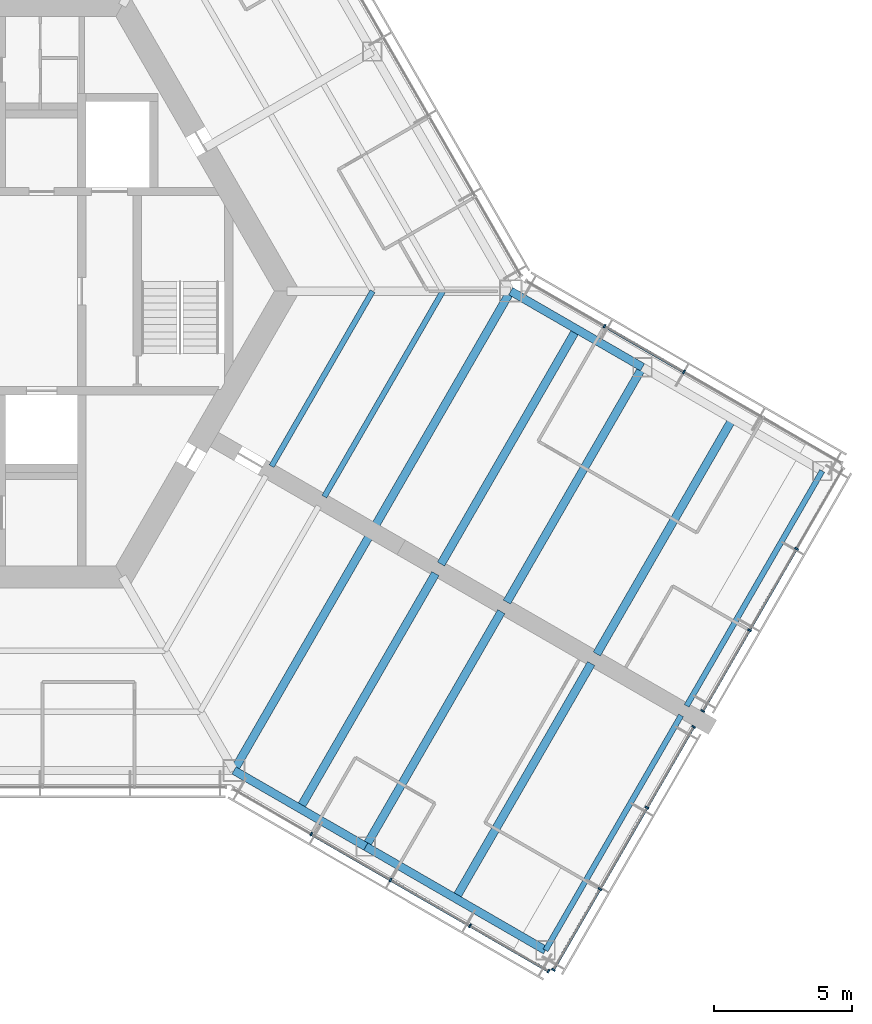
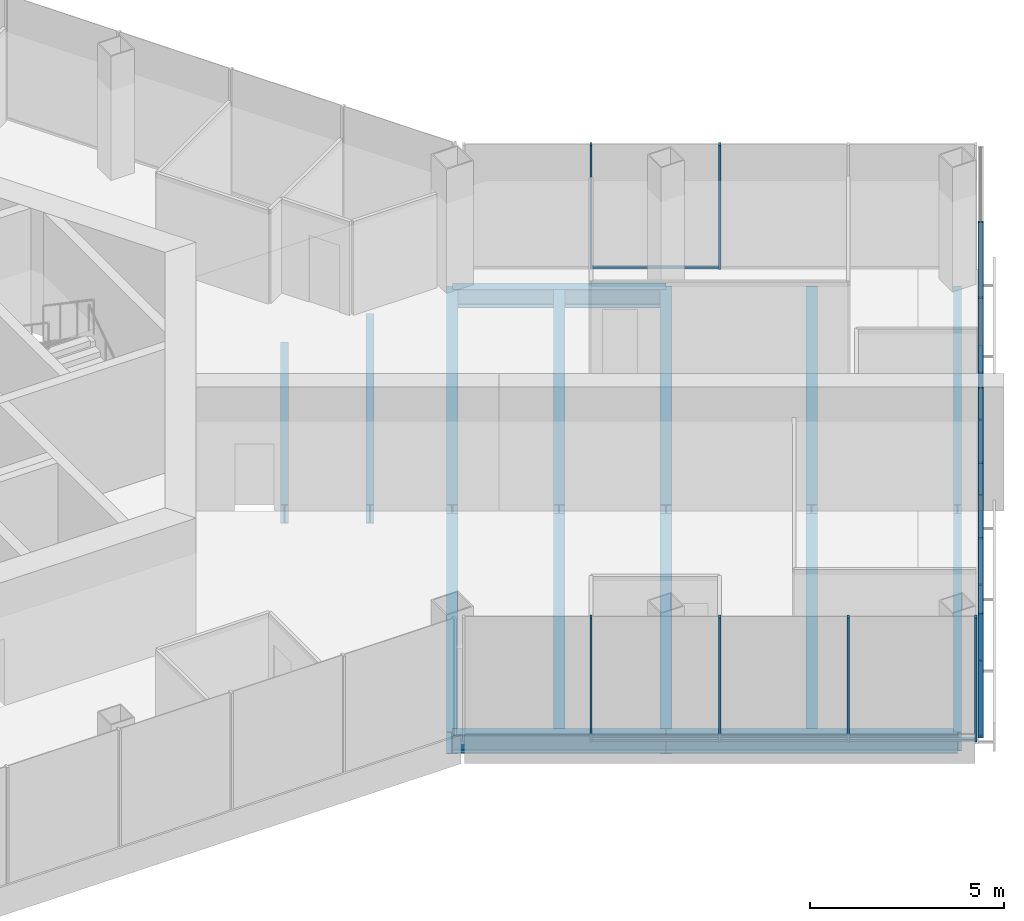
# One storey, part 4 of 16: 22 members, 15 beams, 4 elements without a shape of their own.
"""IFC4 building model written with IfcOpenShell, lengths in metres."""

from ifc_helpers import new_model, si_unit, direction, frame, origin, origin_2d, place, context, subcontext, project, spatial, rectangle, i_section, extrude, material, material_profile, profile_set, type_object, element, aggregate, save


model = new_model("IFC4")

# Units and contexts
model_context = context("Model", 3, precision=1e-05, world=origin(), true_north=direction((0.0, 1.0)))
body_context = subcontext(model_context, "Body", "Model", "MODEL_VIEW")
ifc_project = project(units=[si_unit("LENGTHUNIT", "METRE"), si_unit("AREAUNIT", "SQUARE_METRE"), si_unit("VOLUMEUNIT", "CUBIC_METRE"), si_unit("PLANEANGLEUNIT", "RADIAN"), si_unit("MASSUNIT", "GRAM", prefix="KILO")], contexts=[model_context])

# Site, building, storey
site_placement = place(None, origin())
site = spatial("IfcSite", under=ifc_project, at=site_placement, CompositionType="ELEMENT")
building_placement = place(site_placement, origin())
building = spatial("IfcBuilding", under=site, at=building_placement, Name="Kasaneha Research Tower", CompositionType="ELEMENT")
storey_placement = place(building_placement, frame((0.0, 0.0, 247.89990234375)))
storey = spatial("IfcBuildingStorey", under=building, at=storey_placement, Name="L62", CompositionType="ELEMENT", Elevation=247.89990234375)

# Beams
ifc_material_1 = material(Name="Steel SN490B", Category="steel")
ifc_material_profile_1 = material_profile(ifc_material_1, i_section(OverallWidth=0.199951171875, OverallDepth=0.60009765625, WebThickness=0.010986328125, FlangeThickness=0.01708984375, FilletRadius=0.012939453125, at=origin_2d()), Name="H-600x200x11x17")
ifc_profile_set_1 = profile_set([ifc_material_profile_1], Name="Steel SN490B")
beam_type_1 = type_object("IfcBeamType", Name="B1-3 secondary beam H-600x200x11x17", PredefinedType="JOIST", material=ifc_profile_set_1)
beam_1_placement = place(storey_placement, frame((15.010986328125, 0.0, -0.449951171875), z_axis=(-0.499974128195, -0.866040340363, 0.0), x_axis=(0.866040340363, -0.499974128195, 0.0)))
element("IfcBeam", 1, at=beam_1_placement, inside=storey, type_object=beam_type_1, Name="Secondary beam RS330R1 L62", PredefinedType="JOIST", context=body_context, shape_type="SweptSolid", body=[
    extrude(i_section(OverallWidth=0.199951171875, OverallDepth=0.60009765625, WebThickness=0.010986328125, FlangeThickness=0.01708984375, FilletRadius=0.012939453125, at=origin_2d()), origin(), (0.0, 0.0, 1.0), 7.3056640625),
])
beam_2_placement = place(storey_placement, frame((17.551513671875, 0.0, -0.449951171875), z_axis=(-0.500000102728, -0.866025344474, 0.0), x_axis=(0.866025344474, -0.500000102728, 0.0)))
element("IfcBeam", 2, at=beam_2_placement, inside=storey, type_object=beam_type_1, Name="Secondary beam RS330R2 L62", PredefinedType="JOIST", context=body_context, shape_type="SweptSolid", body=[
    extrude(i_section(OverallWidth=0.199951171875, OverallDepth=0.60009765625, WebThickness=0.010986328125, FlangeThickness=0.01708984375, FilletRadius=0.012939453125, at=origin_2d()), origin(), (0.0, 0.0, 1.0), 8.57568359375),
])
ifc_material_2 = material(Name="Steel SN490B", Category="steel")
ifc_material_profile_2 = material_profile(ifc_material_2, i_section(OverallWidth=0.300048828125, OverallDepth=0.58203125, WebThickness=0.011962890625, FlangeThickness=0.01708984375, FilletRadius=0.012939453125, at=origin_2d()), Name="H-582x300x12x17")
ifc_profile_set_2 = profile_set([ifc_material_profile_2], Name="Steel SN490B")
beam_type_2 = type_object("IfcBeamType", Name="B2-3 secondary beam H-582x300x12x17", PredefinedType="JOIST", material=ifc_profile_set_2)
for number, where, z_axis, x_axis, name in (
    (3, (12.381591796875, -18.695556640625, -0.44091796875), (0.49999201416, 0.866030014362, 0.0), (-0.866030014362, 0.49999201416, 0.0), "Secondary beam WBCP1 L62"),
    (4, (18.0107421875, -21.945556640625, -0.44091796875), (0.49999201416, 0.866030014362, 0.0), (-0.866030014362, 0.49999201416, 0.0), "Secondary beam WBCP2 L62"),
    (5, (22.381591796875, -1.375, -0.44091796875), (-0.49999201416, -0.866030014362, 0.0), (0.866030014362, -0.49999201416, 0.0), "Secondary beam WBCN1 L62"),
    (6, (28.0107421875, -4.625, -0.44091796875), (-0.49999201416, -0.866030014362, 0.0), (0.866030014362, -0.49999201416, 0.0), "Secondary beam WBCN2 L62"),
):
    element("IfcBeam", number, at=place(storey_placement, frame(where, z_axis=z_axis, x_axis=x_axis)), inside=storey, type_object=beam_type_2, Name=name, PredefinedType="JOIST", context=body_context, shape_type="SweptSolid", body=[
        extrude(i_section(OverallWidth=0.300048828125, OverallDepth=0.58203125, WebThickness=0.011962890625, FlangeThickness=0.01708984375, FilletRadius=0.012939453125, at=origin_2d()), origin(), (0.0, 0.0, 1.0), 9.800048828125),
    ])

# Curtain wall, members
ifc_material_3 = material(Name="Glass and aluminium", Category="aluminium")
curtain_wall_type = type_object("IfcCurtainWallType", Name="High-rise office curtain wall", PredefinedType="USERDEFINED", material=ifc_material_3)
curtain_wall_1_placement = place(storey_placement, origin())
curtain_wall_1 = element("IfcCurtainWall", 7, at=curtain_wall_1_placement, inside=storey, type_object=curtain_wall_type, Name="CW-O3 L62 run 06a", ObjectType="UNITISED CURTAIN WALL", PredefinedType="USERDEFINED")
ifc_material_4 = material(Name="Aluminium 6063-T6", Category="aluminium")
ifc_material_profile_3 = material_profile(ifc_material_4, rectangle(XDim=0.06005859375, YDim=0.139892578125, at=origin_2d()), Name="CW-O3 mullion 60x140")
ifc_profile_set_3 = profile_set([ifc_material_profile_3], Name="Aluminium 6063-T6")
member_type_1 = type_object("IfcMemberType", Name="CW-O3 mullion", PredefinedType="MULLION", material=ifc_profile_set_3)
member_1_placement = place(storey_placement, frame((12.792236328125, -19.62548828125, 0.0), z_axis=(0.0, 0.0, 1.0), x_axis=(0.866025411464, -0.499999986699, 0.0)))
member_1 = element("IfcMember", 8, at=member_1_placement, type_object=member_type_1, Name="CW-O3 mullion 2", PredefinedType="MULLION", context=body_context, shape_type="SweptSolid", body=[
    extrude(rectangle(XDim=0.06005859375, YDim=0.139892578125, at=origin_2d()), origin(), (0.0, 0.0, 1.0), 3.900146484375),
])
member_2_placement = place(storey_placement, frame((15.65869140625, -21.2802734375, 0.0), z_axis=(0.0, 0.0, 1.0), x_axis=(0.866025411464, -0.499999986699, 0.0)))
member_2 = element("IfcMember", 9, at=member_2_placement, type_object=member_type_1, Name="CW-O3 mullion 3", PredefinedType="MULLION", context=body_context, shape_type="SweptSolid", body=[
    extrude(rectangle(XDim=0.06005859375, YDim=0.139892578125, at=origin_2d()), origin(), (0.0, 0.0, 1.0), 3.900146484375),
])
member_3_placement = place(storey_placement, frame((18.52490234375, -22.935302734375, 0.0), z_axis=(0.0, 0.0, 1.0), x_axis=(0.866025411464, -0.499999986699, 0.0)))
member_3 = element("IfcMember", 10, at=member_3_placement, type_object=member_type_1, Name="CW-O3 mullion 4", PredefinedType="MULLION", context=body_context, shape_type="SweptSolid", body=[
    extrude(rectangle(XDim=0.06005859375, YDim=0.139892578125, at=origin_2d()), origin(), (0.0, 0.0, 1.0), 3.900146484375),
])
member_4_placement = place(storey_placement, frame((21.365478515625, -24.5751953125, 0.0), z_axis=(0.0, 0.0, 1.0), x_axis=(0.866025411464, -0.499999986699, 0.0)))
member_4 = element("IfcMember", 11, at=member_4_placement, type_object=member_type_1, Name="CW-O3 mullion 5", PredefinedType="MULLION", context=body_context, shape_type="SweptSolid", body=[
    extrude(rectangle(XDim=0.06005859375, YDim=0.139892578125, at=origin_2d()), origin(), (0.0, 0.0, 1.0), 3.900146484375),
])

curtain_wall_2_placement = place(storey_placement, origin())
curtain_wall_2 = element("IfcCurtainWall", 12, at=curtain_wall_2_placement, inside=storey, type_object=curtain_wall_type, Name="CW-O3 L62 run 07a", ObjectType="UNITISED CURTAIN WALL", PredefinedType="USERDEFINED")
member_5_placement = place(storey_placement, frame((21.54296875, -24.527587890625, 0.0), z_axis=(0.0, 0.0, 1.0), x_axis=(0.500000011442, 0.866025397178, 0.0)))
member_5 = element("IfcMember", 13, at=member_5_placement, type_object=member_type_1, Name="CW-O3 mullion 1", PredefinedType="MULLION", context=body_context, shape_type="SweptSolid", body=[
    extrude(rectangle(XDim=0.06005859375, YDim=0.139892578125, at=origin_2d()), origin(), (0.0, 0.0, 1.0), 3.900146484375),
])
member_6_placement = place(storey_placement, frame((23.22802734375, -21.609130859375, 0.0), z_axis=(0.0, 0.0, 1.0), x_axis=(0.500000011442, 0.866025397178, 0.0)))
member_6 = element("IfcMember", 14, at=member_6_placement, type_object=member_type_1, Name="CW-O3 mullion 2", PredefinedType="MULLION", context=body_context, shape_type="SweptSolid", body=[
    extrude(rectangle(XDim=0.06005859375, YDim=0.139892578125, at=origin_2d()), origin(), (0.0, 0.0, 1.0), 3.900146484375),
])
member_7_placement = place(storey_placement, frame((24.927978515625, -18.66455078125, 0.0), z_axis=(0.0, 0.0, 1.0), x_axis=(0.500000011442, 0.866025397178, 0.0)))
member_7 = element("IfcMember", 15, at=member_7_placement, type_object=member_type_1, Name="CW-O3 mullion 3", PredefinedType="MULLION", context=body_context, shape_type="SweptSolid", body=[
    extrude(rectangle(XDim=0.06005859375, YDim=0.139892578125, at=origin_2d()), origin(), (0.0, 0.0, 1.0), 3.900146484375),
])
member_8_placement = place(storey_placement, frame((26.613037109375, -15.74609375, 0.0), z_axis=(0.0, 0.0, 1.0), x_axis=(0.500000011442, 0.866025397178, 0.0)))
member_8 = element("IfcMember", 16, at=member_8_placement, type_object=member_type_1, Name="CW-O3 mullion 4", PredefinedType="MULLION", context=body_context, shape_type="SweptSolid", body=[
    extrude(rectangle(XDim=0.06005859375, YDim=0.139892578125, at=origin_2d()), origin(), (0.0, 0.0, 1.0), 3.900146484375),
])

curtain_wall_3_placement = place(storey_placement, origin())
curtain_wall_3 = element("IfcCurtainWall", 17, at=curtain_wall_3_placement, inside=storey, type_object=curtain_wall_type, Name="CW-O3 L62 run 08a", ObjectType="UNITISED CURTAIN WALL", PredefinedType="USERDEFINED")
member_9_placement = place(storey_placement, frame((26.94287109375, -15.174560546875, 0.0), z_axis=(0.0, 0.0, 1.0), x_axis=(0.500000011442, 0.866025397178, 0.0)))
member_9 = element("IfcMember", 18, at=member_9_placement, type_object=member_type_1, Name="CW-O3 mullion 1", PredefinedType="MULLION", context=body_context, shape_type="SweptSolid", body=[
    extrude(rectangle(XDim=0.06005859375, YDim=0.139892578125, at=origin_2d()), origin(), (0.0, 0.0, 1.0), 3.900146484375),
])
member_10_placement = place(storey_placement, frame((28.6279296875, -12.255859375, 0.0), z_axis=(0.0, 0.0, 1.0), x_axis=(0.500000011442, 0.866025397178, 0.0)))
member_10 = element("IfcMember", 19, at=member_10_placement, type_object=member_type_1, Name="CW-O3 mullion 2", PredefinedType="MULLION", context=body_context, shape_type="SweptSolid", body=[
    extrude(rectangle(XDim=0.06005859375, YDim=0.139892578125, at=origin_2d()), origin(), (0.0, 0.0, 1.0), 3.900146484375),
])
member_11_placement = place(storey_placement, frame((30.327880859375, -9.3115234375, 0.0), z_axis=(0.0, 0.0, 1.0), x_axis=(0.500000011442, 0.866025397178, 0.0)))
member_11 = element("IfcMember", 20, at=member_11_placement, type_object=member_type_1, Name="CW-O3 mullion 3", PredefinedType="MULLION", context=body_context, shape_type="SweptSolid", body=[
    extrude(rectangle(XDim=0.06005859375, YDim=0.139892578125, at=origin_2d()), origin(), (0.0, 0.0, 1.0), 3.900146484375),
])

curtain_wall_4_placement = place(storey_placement, origin())
curtain_wall_4 = element("IfcCurtainWall", 21, at=curtain_wall_4_placement, inside=storey, type_object=curtain_wall_type, Name="CW-O3 L62 run 09a", ObjectType="UNITISED CURTAIN WALL", PredefinedType="USERDEFINED")
member_12_placement = place(storey_placement, frame((26.258544921875, -2.920654296875, 0.0), z_axis=(0.0, 0.0, 1.0), x_axis=(-0.866025411464, 0.499999986699, 0.0)))
member_12 = element("IfcMember", 22, at=member_12_placement, type_object=member_type_1, Name="CW-O3 mullion 3", PredefinedType="MULLION", context=body_context, shape_type="SweptSolid", body=[
    extrude(rectangle(XDim=0.06005859375, YDim=0.139892578125, at=origin_2d()), origin(), (0.0, 0.0, 1.0), 3.900146484375),
])
member_13_placement = place(storey_placement, frame((23.39208984375, -1.265625, 0.0), z_axis=(0.0, 0.0, 1.0), x_axis=(-0.866025411464, 0.499999986699, 0.0)))
member_13 = element("IfcMember", 23, at=member_13_placement, type_object=member_type_1, Name="CW-O3 mullion 4", PredefinedType="MULLION", context=body_context, shape_type="SweptSolid", body=[
    extrude(rectangle(XDim=0.06005859375, YDim=0.139892578125, at=origin_2d()), origin(), (0.0, 0.0, 1.0), 3.900146484375),
])

# Member
ifc_material_5 = material(Name="Aluminium 6063-T6", Category="aluminium")
ifc_material_profile_4 = material_profile(ifc_material_5, rectangle(XDim=0.10009765625, YDim=0.06005859375, at=origin_2d()), Name="CW-O3 transom 100x60")
ifc_profile_set_4 = profile_set([ifc_material_profile_4], Name="Aluminium 6063-T6")
member_type_2 = type_object("IfcMemberType", Name="CW-O3 transom", PredefinedType="USERDEFINED", material=ifc_profile_set_4)
member_14_placement = place(storey_placement, frame((12.818115234375, -19.640380859375, 0.030029296875), z_axis=(0.866015446554, -0.500017246033, 0.0), x_axis=(0.500017246033, 0.866015446554, 0.0)))
member_14 = element("IfcMember", 24, at=member_14_placement, type_object=member_type_2, Name="CW-O3 transom 2", ObjectType="TRANSOM", PredefinedType="USERDEFINED", context=body_context, shape_type="SweptSolid", body=[
    extrude(rectangle(XDim=0.10009765625, YDim=0.06005859375, at=origin_2d()), origin(), (0.0, 0.0, 1.0), 3.25),
])

member_15_placement = place(storey_placement, frame((15.6845703125, -21.29541015625, 0.030029296875), z_axis=(0.86604797581, -0.499960902066, 0.0), x_axis=(0.499960902066, 0.86604797581, 0.0)))
member_15 = element("IfcMember", 25, at=member_15_placement, type_object=member_type_2, Name="CW-O3 transom 3", ObjectType="TRANSOM", PredefinedType="USERDEFINED", context=body_context, shape_type="SweptSolid", body=[
    extrude(rectangle(XDim=0.10009765625, YDim=0.06005859375, at=origin_2d()), origin(), (0.0, 0.0, 1.0), 3.249755859375),
])

member_16_placement = place(storey_placement, frame((18.551025390625, -22.9501953125, 0.030029296875), z_axis=(0.866022692473, -0.500004696101, 0.0), x_axis=(0.500004696101, 0.866022692473, 0.0)))
member_16 = element("IfcMember", 26, at=member_16_placement, type_object=member_type_2, Name="CW-O3 transom 4", ObjectType="TRANSOM", PredefinedType="USERDEFINED", context=body_context, shape_type="SweptSolid", body=[
    extrude(rectangle(XDim=0.10009765625, YDim=0.06005859375, at=origin_2d()), origin(), (0.0, 0.0, 1.0), 3.2197265625),
])

aggregate(curtain_wall_1, [member_1, member_2, member_3, member_4, member_14, member_15, member_16])

member_17_placement = place(storey_placement, frame((21.557861328125, -24.50146484375, 0.030029296875), z_axis=(0.500018282537, 0.866014848099, 0.0), x_axis=(-0.866014848099, 0.500018282537, 0.0)))
member_17 = element("IfcMember", 27, at=member_17_placement, type_object=member_type_2, Name="CW-O3 transom 1", ObjectType="TRANSOM", PredefinedType="USERDEFINED", context=body_context, shape_type="SweptSolid", body=[
    extrude(rectangle(XDim=0.10009765625, YDim=0.06005859375, at=origin_2d()), origin(), (0.0, 0.0, 1.0), 3.31005859375),
])

member_18_placement = place(storey_placement, frame((23.242919921875, -21.5830078125, 0.030029296875), z_axis=(0.499975549825, 0.866039519639, 0.0), x_axis=(-0.866039519639, 0.499975549825, 0.0)))
member_18 = element("IfcMember", 28, at=member_18_placement, type_object=member_type_2, Name="CW-O3 transom 2", ObjectType="TRANSOM", PredefinedType="USERDEFINED", context=body_context, shape_type="SweptSolid", body=[
    extrude(rectangle(XDim=0.10009765625, YDim=0.06005859375, at=origin_2d()), origin(), (0.0, 0.0, 1.0), 3.340087890625),
])

member_19_placement = place(storey_placement, frame((24.94287109375, -18.638671875, 0.030029296875), z_axis=(0.49998634449, 0.866033287653, 0.0), x_axis=(-0.866033287653, 0.49998634449, 0.0)))
member_19 = element("IfcMember", 29, at=member_19_placement, type_object=member_type_2, Name="CW-O3 transom 3", ObjectType="TRANSOM", PredefinedType="USERDEFINED", context=body_context, shape_type="SweptSolid", body=[
    extrude(rectangle(XDim=0.10009765625, YDim=0.06005859375, at=origin_2d()), origin(), (0.0, 0.0, 1.0), 3.31005859375),
])

aggregate(curtain_wall_2, [member_5, member_6, member_7, member_8, member_17, member_18, member_19])

member_20_placement = place(storey_placement, frame((26.9580078125, -15.1484375, 0.030029296875), z_axis=(0.500018282537, 0.866014848099, 0.0), x_axis=(-0.866014848099, 0.500018282537, 0.0)))
member_20 = element("IfcMember", 30, at=member_20_placement, type_object=member_type_2, Name="CW-O3 transom 1", ObjectType="TRANSOM", PredefinedType="USERDEFINED", context=body_context, shape_type="SweptSolid", body=[
    extrude(rectangle(XDim=0.10009765625, YDim=0.06005859375, at=origin_2d()), origin(), (0.0, 0.0, 1.0), 3.31005859375),
])

member_21_placement = place(storey_placement, frame((28.64306640625, -12.22998046875, 0.030029296875), z_axis=(0.499975549825, 0.866039519639, 0.0), x_axis=(-0.866039519639, 0.499975549825, 0.0)))
member_21 = element("IfcMember", 31, at=member_21_placement, type_object=member_type_2, Name="CW-O3 transom 2", ObjectType="TRANSOM", PredefinedType="USERDEFINED", context=body_context, shape_type="SweptSolid", body=[
    extrude(rectangle(XDim=0.10009765625, YDim=0.06005859375, at=origin_2d()), origin(), (0.0, 0.0, 1.0), 3.340087890625),
])

aggregate(curtain_wall_3, [member_9, member_10, member_11, member_20, member_21])

member_22_placement = place(storey_placement, frame((26.232666015625, -2.905517578125, 0.030029296875), z_axis=(-0.86604797581, 0.499960902066, 0.0), x_axis=(-0.499960902066, -0.86604797581, 0.0)))
member_22 = element("IfcMember", 32, at=member_22_placement, type_object=member_type_2, Name="CW-O3 transom 3", ObjectType="TRANSOM", PredefinedType="USERDEFINED", context=body_context, shape_type="SweptSolid", body=[
    extrude(rectangle(XDim=0.10009765625, YDim=0.06005859375, at=origin_2d()), origin(), (0.0, 0.0, 1.0), 3.249755859375),
])

aggregate(curtain_wall_4, [member_12, member_13, member_22])

# Beams
ifc_material_6 = material(Name="Steel SN490B", Category="steel")
ifc_material_profile_5 = material_profile(ifc_material_6, i_section(OverallWidth=0.300048828125, OverallDepth=0.69189453125, WebThickness=0.012939453125, FlangeThickness=0.02001953125, FilletRadius=0.01806640625, at=origin_2d()), Name="H-692x300x13x20")
ifc_profile_set_5 = profile_set([ifc_material_profile_5], Name="Steel SN490B")
beam_type_3 = type_object("IfcBeamType", Name="G3-3 plate edge girder H-692x300x13x20", PredefinedType="BEAM", material=ifc_profile_set_5)
for number, where, z_axis, x_axis, name in (
    (33, (10.0, -17.320556640625, -0.495849609375), (0.49999201416, 0.866030014362, 0.0), (-0.866030014362, 0.49999201416, 0.0), "Plate edge girder PECP L62"),
    (34, (20.0, 0.0, -0.495849609375), (-0.49999201416, -0.866030014362, 0.0), (0.866030014362, -0.49999201416, 0.0), "Plate edge girder PECN L62"),
):
    element("IfcBeam", number, at=place(storey_placement, frame(where, z_axis=z_axis, x_axis=x_axis)), inside=storey, type_object=beam_type_3, Name=name, PredefinedType="BEAM", context=body_context, shape_type="SweptSolid", body=[
        extrude(i_section(OverallWidth=0.300048828125, OverallDepth=0.69189453125, WebThickness=0.012939453125, FlangeThickness=0.02001953125, FilletRadius=0.01806640625, at=origin_2d()), origin(), (0.0, 0.0, 1.0), 9.800048828125),
    ])
ifc_material_7 = material(Name="Steel SN490B", Category="steel")
ifc_material_profile_6 = material_profile(ifc_material_7, i_section(OverallWidth=0.300048828125, OverallDepth=0.699951171875, WebThickness=0.012939453125, FlangeThickness=0.02392578125, FilletRadius=0.01806640625, at=origin_2d()), Name="H-700x300x13x24")
ifc_profile_set_6 = profile_set([ifc_material_profile_6], Name="Steel SN490B")
beam_type_4 = type_object("IfcBeamType", Name="G4-3 wing girder H-700x300x13x24", PredefinedType="BEAM", material=ifc_profile_set_6)
for number, where, z_axis, x_axis, name in (
    (35, (14.76318359375, -20.070556640625, -0.5), (0.49999201416, 0.866030014362, 0.0), (-0.866030014362, 0.49999201416, 0.0), "Wing girder WGCP L62"),
    (36, (24.76318359375, -2.75, -0.5), (-0.500010698315, -0.866019227021, 0.0), (0.866019227021, -0.500010698315, 0.0), "Wing girder WGCN L62"),
):
    element("IfcBeam", number, at=place(storey_placement, frame(where, z_axis=z_axis, x_axis=x_axis)), inside=storey, type_object=beam_type_4, Name=name, PredefinedType="BEAM", context=body_context, shape_type="SweptSolid", body=[
        extrude(i_section(OverallWidth=0.300048828125, OverallDepth=0.699951171875, WebThickness=0.012939453125, FlangeThickness=0.02392578125, FilletRadius=0.01806640625, at=origin_2d()), origin(), (0.0, 0.0, 1.0), 9.800048828125),
    ])
ifc_material_8 = material(Name="Steel SN490B", Category="steel")
ifc_material_profile_7 = material_profile(ifc_material_8, i_section(OverallWidth=0.300048828125, OverallDepth=0.58203125, WebThickness=0.011962890625, FlangeThickness=0.01708984375, FilletRadius=0.012939453125, at=origin_2d()), Name="H-582x300x12x17")
ifc_profile_set_7 = profile_set([ifc_material_profile_7], Name="Steel SN490B")
beam_type_5 = type_object("IfcBeamType", Name="SB2-3 spandrel beam H-582x300x12x17", PredefinedType="SPANDREL", material=ifc_profile_set_7)
beam_3_placement = place(storey_placement, frame((10.0, -17.320556640625, -0.44091796875), z_axis=(0.866027397988, -0.499996545922, 0.0), x_axis=(0.499996545922, 0.866027397988, 0.0)))
element("IfcBeam", 37, at=beam_3_placement, inside=storey, type_object=beam_type_5, Name="Spandrel beam WSCP1 L62", PredefinedType="SPANDREL", context=body_context, shape_type="SweptSolid", body=[
    extrude(i_section(OverallWidth=0.300048828125, OverallDepth=0.58203125, WebThickness=0.011962890625, FlangeThickness=0.01708984375, FilletRadius=0.012939453125, at=origin_2d()), origin(), (0.0, 0.0, 1.0), 5.5),
])
beam_4_placement = place(storey_placement, frame((14.76318359375, -20.070556640625, -0.44091796875), z_axis=(0.866022959057, -0.500004234368, 0.0), x_axis=(0.500004234368, 0.866022959057, 0.0)))
element("IfcBeam", 38, at=beam_4_placement, inside=storey, type_object=beam_type_5, Name="Spandrel beam WSCP2 L62", PredefinedType="SPANDREL", context=body_context, shape_type="SweptSolid", body=[
    extrude(i_section(OverallWidth=0.300048828125, OverallDepth=0.58203125, WebThickness=0.011962890625, FlangeThickness=0.01708984375, FilletRadius=0.012939453125, at=origin_2d()), origin(), (0.0, 0.0, 1.0), 7.5),
])
beam_5_placement = place(storey_placement, frame((20.0, 0.0, -0.44091796875), z_axis=(0.866027397988, -0.499996545922, 0.0), x_axis=(0.499996545922, 0.866027397988, 0.0)))
element("IfcBeam", 39, at=beam_5_placement, inside=storey, type_object=beam_type_5, Name="Spandrel beam WSCN1 L62", PredefinedType="SPANDREL", context=body_context, shape_type="SweptSolid", body=[
    extrude(i_section(OverallWidth=0.300048828125, OverallDepth=0.58203125, WebThickness=0.011962890625, FlangeThickness=0.01708984375, FilletRadius=0.012939453125, at=origin_2d()), origin(), (0.0, 0.0, 1.0), 5.5),
])
ifc_material_9 = material(Name="Steel SN490B", Category="steel")
ifc_material_profile_8 = material_profile(ifc_material_9, i_section(OverallWidth=0.199951171875, OverallDepth=0.60009765625, WebThickness=0.010986328125, FlangeThickness=0.01708984375, FilletRadius=0.012939453125, at=origin_2d()), Name="H-600x200x11x17")
ifc_profile_set_8 = profile_set([ifc_material_profile_8], Name="Steel SN490B")
beam_type_6 = type_object("IfcBeamType", Name="SB3-3 spandrel beam H-600x200x11x17", PredefinedType="SPANDREL", material=ifc_profile_set_8)
for number, where, z_axis, x_axis, name in (
    (40, (21.25830078125, -23.820556640625, -0.449951171875), (0.500010698315, 0.866019227021, 0.0), (-0.866019227021, 0.500010698315, 0.0), "Spandrel beam WTCP L62"),
    (41, (31.25830078125, -6.5, -0.449951171875), (-0.49999201416, -0.866030014362, 0.0), (0.866030014362, -0.49999201416, 0.0), "Spandrel beam WTCN L62"),
):
    element("IfcBeam", number, at=place(storey_placement, frame(where, z_axis=z_axis, x_axis=x_axis)), inside=storey, type_object=beam_type_6, Name=name, PredefinedType="SPANDREL", context=body_context, shape_type="SweptSolid", body=[
        extrude(i_section(OverallWidth=0.199951171875, OverallDepth=0.60009765625, WebThickness=0.010986328125, FlangeThickness=0.01708984375, FilletRadius=0.012939453125, at=origin_2d()), origin(), (0.0, 0.0, 1.0), 9.800048828125),
    ])

save(model, "model.ifc")
